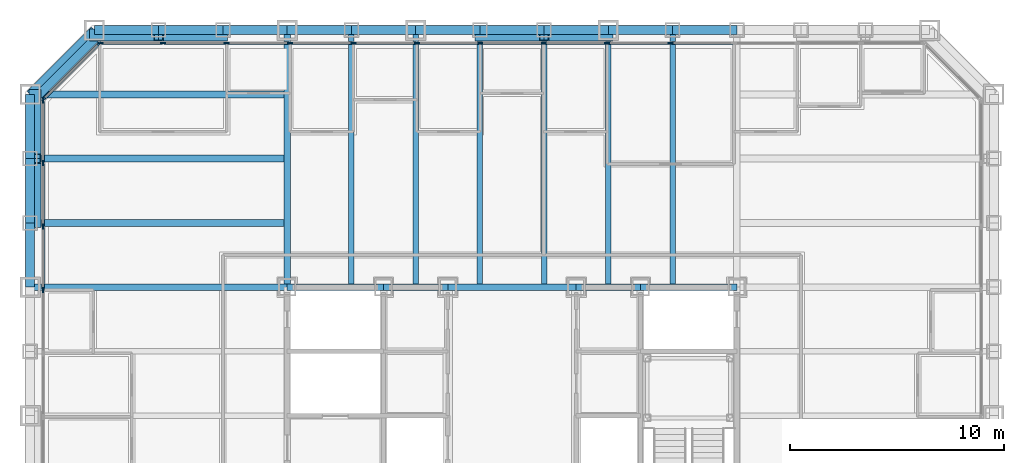
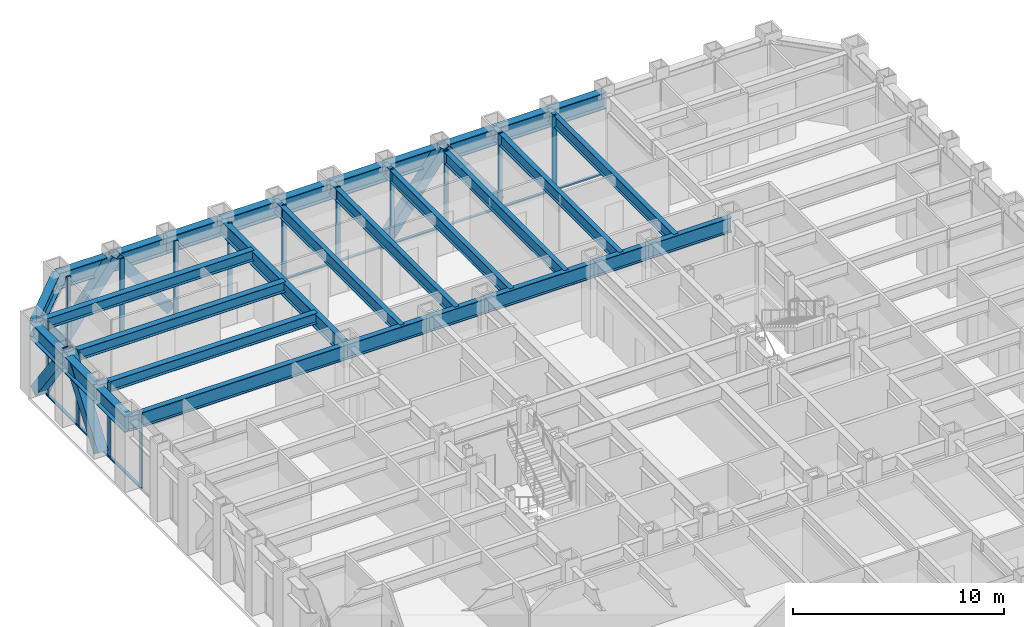
# One storey, part 5 of 16: 37 members, 30 beams, 3 elements without a shape of their own.
"""IFC4 building model written with IfcOpenShell, lengths in metres."""

from ifc_helpers import new_model, si_unit, direction, frame, origin, origin_2d, place, context, subcontext, project, spatial, rectangle, hollow_rectangle, i_section, extrude, material, layer, layer_set, material_profile, profile_set, type_object, element, aggregate, save


model = new_model("IFC4")

# Units and contexts
model_context = context("Model", 3, precision=1e-05, world=origin(), true_north=direction((0.0, 1.0)))
body_context = subcontext(model_context, "Body", "Model", "MODEL_VIEW")
ifc_project = project(units=[si_unit("LENGTHUNIT", "METRE"), si_unit("AREAUNIT", "SQUARE_METRE"), si_unit("VOLUMEUNIT", "CUBIC_METRE"), si_unit("PLANEANGLEUNIT", "RADIAN"), si_unit("MASSUNIT", "GRAM", prefix="KILO")], contexts=[model_context])

# Site, building, storey
site_placement = place(None, origin())
site = spatial("IfcSite", under=ifc_project, at=site_placement, CompositionType="ELEMENT")
building_placement = place(site_placement, origin())
building = spatial("IfcBuilding", under=site, at=building_placement, Name="Chuquiago Exchange Tower", CompositionType="ELEMENT")
storey_placement = place(building_placement, frame((0.0, 0.0, 55.800048828125)))
storey = spatial("IfcBuildingStorey", under=building, at=storey_placement, Name="L11", CompositionType="ELEMENT", Elevation=55.800048828125)

# Beams
ifc_material_1 = material(Name="Steel ASTM A992", Category="steel")
ifc_material_profile_1 = material_profile(ifc_material_1, i_section(OverallWidth=0.2919921875, OverallDepth=0.8583984375, WebThickness=0.01708984375, FlangeThickness=0.031005859375, at=origin_2d()), Name="W33X169")
ifc_profile_set_1 = profile_set([ifc_material_profile_1], Name="Steel ASTM A992")
beam_type_1 = type_object("IfcBeamType", Name="B3 W33X169", PredefinedType="BEAM", material=ifc_profile_set_1)
beam_1_placement = place(storey_placement, frame((12.0, 33.0, 3.610595703125), z_axis=(1.0, 0.0, 0.0), x_axis=(0.0, 1.0, 0.0)))
element("IfcBeam", 1, at=beam_1_placement, inside=storey, type_object=beam_type_1, Name="CB-L12-12_33-16.5_33", PredefinedType="BEAM", context=body_context, shape_type="SweptSolid", body=[
    extrude(i_section(OverallWidth=0.2919921875, OverallDepth=0.8583984375, WebThickness=0.01708984375, FlangeThickness=0.031005859375, at=origin_2d()), origin(), (0.0, 0.0, 1.0), 4.5),
])
beam_2_placement = place(storey_placement, frame((16.5, 33.0, 3.610595703125), z_axis=(1.0, 0.0, 0.0), x_axis=(0.0, 1.0, 0.0)))
element("IfcBeam", 2, at=beam_2_placement, inside=storey, type_object=beam_type_1, Name="CB-L12-16.5_33-19.5_33", PredefinedType="BEAM", context=body_context, shape_type="SweptSolid", body=[
    extrude(i_section(OverallWidth=0.2919921875, OverallDepth=0.8583984375, WebThickness=0.01708984375, FlangeThickness=0.031005859375, at=origin_2d()), origin(), (0.0, 0.0, 1.0), 3.0),
])
beam_3_placement = place(storey_placement, frame((19.5, 33.0, 3.610595703125), z_axis=(1.0, 0.0, 0.0), x_axis=(0.0, 1.0, 0.0)))
element("IfcBeam", 3, at=beam_3_placement, inside=storey, type_object=beam_type_1, Name="CB-L12-19.5_33-25.5_33", PredefinedType="BEAM", context=body_context, shape_type="SweptSolid", body=[
    extrude(i_section(OverallWidth=0.2919921875, OverallDepth=0.8583984375, WebThickness=0.01708984375, FlangeThickness=0.031005859375, at=origin_2d()), origin(), (0.0, 0.0, 1.0), 6.0),
])
beam_4_placement = place(storey_placement, frame((25.5, 33.0, 3.610595703125), z_axis=(1.0, 0.0, 0.0), x_axis=(0.0, 1.0, 0.0)))
element("IfcBeam", 4, at=beam_4_placement, inside=storey, type_object=beam_type_1, Name="CB-L12-25.5_33-28.5_33", PredefinedType="BEAM", context=body_context, shape_type="SweptSolid", body=[
    extrude(i_section(OverallWidth=0.2919921875, OverallDepth=0.8583984375, WebThickness=0.01708984375, FlangeThickness=0.031005859375, at=origin_2d()), origin(), (0.0, 0.0, 1.0), 3.0),
])
beam_5_placement = place(storey_placement, frame((28.5, 33.0, 3.610595703125), z_axis=(1.0, 0.0, 0.0), x_axis=(0.0, 1.0, 0.0)))
element("IfcBeam", 5, at=beam_5_placement, inside=storey, type_object=beam_type_1, Name="CB-L12-28.5_33-33_33", PredefinedType="BEAM", context=body_context, shape_type="SweptSolid", body=[
    extrude(i_section(OverallWidth=0.2919921875, OverallDepth=0.8583984375, WebThickness=0.01708984375, FlangeThickness=0.031005859375, at=origin_2d()), origin(), (0.0, 0.0, 1.0), 4.5),
])
ifc_material_2 = material(Name="Steel ASTM A992", Category="steel")
ifc_material_profile_2 = material_profile(ifc_material_2, i_section(OverallWidth=0.256591796875, OverallDepth=0.693359375, WebThickness=0.014404296875, FlangeThickness=0.023681640625, at=origin_2d()), Name="W27X114")
ifc_profile_set_2 = profile_set([ifc_material_profile_2], Name="Steel ASTM A992")
beam_type_2 = type_object("IfcBeamType", Name="B4 W27X114", PredefinedType="BEAM", material=ifc_profile_set_2)
for number, where, z_axis, x_axis, name in (
    (6, (15.0, 33.0, 3.693359375), (0.0, 1.0, 0.0), (-1.0, 0.0, 0.0), "FB-L12-infill-15_33-15_45-0"),
    (7, (18.0, 33.0, 3.693359375), (0.0, 1.0, 0.0), (-1.0, 0.0, 0.0), "FB-L12-infill-18_33-18_45-0"),
    (8, (21.0, 33.0, 3.693359375), (0.0, 1.0, 0.0), (-1.0, 0.0, 0.0), "FB-L12-infill-21_33-21_45-0"),
    (9, (24.0, 33.0, 3.693359375), (0.0, 1.0, 0.0), (-1.0, 0.0, 0.0), "FB-L12-infill-24_33-24_45-0"),
    (10, (27.0, 33.0, 3.693359375), (0.0, 1.0, 0.0), (-1.0, 0.0, 0.0), "FB-L12-infill-27_33-27_45-0"),
    (11, (30.0, 33.0, 3.693359375), (0.0, 1.0, 0.0), (-1.0, 0.0, 0.0), "FB-L12-infill-30_33-30_45-0"),
):
    element("IfcBeam", number, at=place(storey_placement, frame(where, z_axis=z_axis, x_axis=x_axis)), inside=storey, type_object=beam_type_2, Name=name, PredefinedType="BEAM", context=body_context, shape_type="SweptSolid", body=[
        extrude(i_section(OverallWidth=0.256591796875, OverallDepth=0.693359375, WebThickness=0.014404296875, FlangeThickness=0.023681640625, at=origin_2d()), origin(), (0.0, 0.0, 1.0), 12.0),
    ])
ifc_material_3 = material(Name="Steel ASTM A992", Category="steel")
ifc_material_profile_3 = material_profile(ifc_material_3, i_section(OverallWidth=0.3251953125, OverallDepth=0.6171875, WebThickness=0.013916015625, FlangeThickness=0.021484375, at=origin_2d()), Name="W24X117")
ifc_profile_set_3 = profile_set([ifc_material_profile_3], Name="Steel ASTM A992")
beam_type_3 = type_object("IfcBeamType", Name="B5 W24X117", PredefinedType="BEAM", material=ifc_profile_set_3)
for number, where, z_axis, x_axis, name in (
    (12, (12.0, 36.0, 3.7314453125), (-1.0, 0.0, 0.0), (0.0, -1.0, 0.0), "FB-L12-corner-12_36--0_36-0"),
    (13, (12.0, 39.0, 3.7314453125), (-1.0, 0.0, 0.0), (0.0, -1.0, 0.0), "FB-L12-corner-12_39--0_39-0"),
    (14, (12.0, 42.0, 3.7314453125), (-1.0, 0.0, 0.0), (0.0, -1.0, 0.0), "FB-L12-corner-12_42--0_42-0"),
):
    element("IfcBeam", number, at=place(storey_placement, frame(where, z_axis=z_axis, x_axis=x_axis)), inside=storey, type_object=beam_type_3, Name=name, PredefinedType="BEAM", context=body_context, shape_type="SweptSolid", body=[
        extrude(i_section(OverallWidth=0.3251953125, OverallDepth=0.6171875, WebThickness=0.013916015625, FlangeThickness=0.021484375, at=origin_2d()), origin(), (0.0, 0.0, 1.0), 12.0),
    ])

# Curtain wall, members
ifc_material_4 = material(Name="Aluminium curtain wall system", Category="aluminium")
ifc_layer_1 = layer(ifc_material_4, 0.25)
ifc_layer_set_1 = layer_set([ifc_layer_1], Name="CW1 trading floor curtain wall")
curtain_wall_type_1 = type_object("IfcCurtainWallType", Name="CW1 trading floor curtain wall", PredefinedType="NOTDEFINED", material=ifc_layer_set_1)
curtain_wall_1_placement = place(storey_placement, origin())
curtain_wall_1 = element("IfcCurtainWall", 15, at=curtain_wall_1_placement, inside=storey, type_object=curtain_wall_type_1, Name="CW1 curtain wall L11", PredefinedType="NOTDEFINED")
ifc_material_5 = material(Name="Aluminium mullion, pale anodised", Category="aluminium")
ifc_material_profile_4 = material_profile(ifc_material_5, rectangle(XDim=0.074951171875, YDim=0.25, at=origin_2d()), Name="AL 75x250")
ifc_profile_set_4 = profile_set([ifc_material_profile_4], Name="Aluminium mullion, pale anodised")
member_type_1 = type_object("IfcMemberType", Name="CW1-M mullion 75x250", PredefinedType="MULLION", material=ifc_profile_set_4)
member_1_placement = place(storey_placement, frame((29.904541015625, 44.39990234375, -0.300048828125), z_axis=(0.0, 0.0, 1.0), x_axis=(0.0, -1.0, 0.0)))
member_1 = element("IfcMember", 16, at=member_1_placement, type_object=member_type_1, Name="CW1 mullion 5", PredefinedType="MULLION", context=body_context, shape_type="SweptSolid", body=[
    extrude(rectangle(XDim=0.074951171875, YDim=0.25, at=origin_2d()), origin(), (0.0, 0.0, 1.0), 4.340087890625),
])
member_2_placement = place(storey_placement, frame((26.942626953125, 44.39990234375, -0.300048828125), z_axis=(0.0, 0.0, 1.0), x_axis=(0.0, -1.0, 0.0)))
member_2 = element("IfcMember", 17, at=member_2_placement, type_object=member_type_1, Name="CW1 mullion 6", PredefinedType="MULLION", context=body_context, shape_type="SweptSolid", body=[
    extrude(rectangle(XDim=0.074951171875, YDim=0.25, at=origin_2d()), origin(), (0.0, 0.0, 1.0), 4.340087890625),
])
member_3_placement = place(storey_placement, frame((23.98095703125, 44.39990234375, -0.300048828125), z_axis=(0.0, 0.0, 1.0), x_axis=(0.0, -1.0, 0.0)))
member_3 = element("IfcMember", 18, at=member_3_placement, type_object=member_type_1, Name="CW1 mullion 7", PredefinedType="MULLION", context=body_context, shape_type="SweptSolid", body=[
    extrude(rectangle(XDim=0.074951171875, YDim=0.25, at=origin_2d()), origin(), (0.0, 0.0, 1.0), 4.340087890625),
])
member_4_placement = place(storey_placement, frame((21.01904296875, 44.39990234375, -0.300048828125), z_axis=(0.0, 0.0, 1.0), x_axis=(0.0, -1.0, 0.0)))
member_4 = element("IfcMember", 19, at=member_4_placement, type_object=member_type_1, Name="CW1 mullion 8", PredefinedType="MULLION", context=body_context, shape_type="SweptSolid", body=[
    extrude(rectangle(XDim=0.074951171875, YDim=0.25, at=origin_2d()), origin(), (0.0, 0.0, 1.0), 4.340087890625),
])
member_5_placement = place(storey_placement, frame((18.057373046875, 44.39990234375, -0.300048828125), z_axis=(0.0, 0.0, 1.0), x_axis=(0.0, -1.0, 0.0)))
member_5 = element("IfcMember", 20, at=member_5_placement, type_object=member_type_1, Name="CW1 mullion 9", PredefinedType="MULLION", context=body_context, shape_type="SweptSolid", body=[
    extrude(rectangle(XDim=0.074951171875, YDim=0.25, at=origin_2d()), origin(), (0.0, 0.0, 1.0), 4.340087890625),
])
member_6_placement = place(storey_placement, frame((15.095458984375, 44.39990234375, -0.300048828125), z_axis=(0.0, 0.0, 1.0), x_axis=(0.0, -1.0, 0.0)))
member_6 = element("IfcMember", 21, at=member_6_placement, type_object=member_type_1, Name="CW1 mullion 10", PredefinedType="MULLION", context=body_context, shape_type="SweptSolid", body=[
    extrude(rectangle(XDim=0.074951171875, YDim=0.25, at=origin_2d()), origin(), (0.0, 0.0, 1.0), 4.340087890625),
])
member_7_placement = place(storey_placement, frame((12.1337890625, 44.39990234375, -0.300048828125), z_axis=(0.0, 0.0, 1.0), x_axis=(0.0, -1.0, 0.0)))
member_7 = element("IfcMember", 22, at=member_7_placement, type_object=member_type_1, Name="CW1 mullion 11", PredefinedType="MULLION", context=body_context, shape_type="SweptSolid", body=[
    extrude(rectangle(XDim=0.074951171875, YDim=0.25, at=origin_2d()), origin(), (0.0, 0.0, 1.0), 4.340087890625),
])
member_8_placement = place(storey_placement, frame((9.172119140625, 44.39990234375, -0.300048828125), z_axis=(0.0, 0.0, 1.0), x_axis=(0.0, -1.0, 0.0)))
member_8 = element("IfcMember", 23, at=member_8_placement, type_object=member_type_1, Name="CW1 mullion 12", PredefinedType="MULLION", context=body_context, shape_type="SweptSolid", body=[
    extrude(rectangle(XDim=0.074951171875, YDim=0.25, at=origin_2d()), origin(), (0.0, 0.0, 1.0), 4.340087890625),
])
member_9_placement = place(storey_placement, frame((6.210205078125, 44.39990234375, -0.300048828125), z_axis=(0.0, 0.0, 1.0), x_axis=(0.0, -1.0, 0.0)))
member_9 = element("IfcMember", 24, at=member_9_placement, type_object=member_type_1, Name="CW1 mullion 13", PredefinedType="MULLION", context=body_context, shape_type="SweptSolid", body=[
    extrude(rectangle(XDim=0.074951171875, YDim=0.25, at=origin_2d()), origin(), (0.0, 0.0, 1.0), 4.340087890625),
])
member_10_placement = place(storey_placement, frame((3.285888671875, 44.39990234375, -0.300048828125), z_axis=(0.0, 0.0, 1.0), x_axis=(0.0, -1.0, 0.0)))
member_10 = element("IfcMember", 25, at=member_10_placement, type_object=member_type_1, Name="CW1 mullion 14", PredefinedType="MULLION", context=body_context, shape_type="SweptSolid", body=[
    extrude(rectangle(XDim=0.074951171875, YDim=0.25, at=origin_2d()), origin(), (0.0, 0.0, 1.0), 4.340087890625),
])

curtain_wall_2_placement = place(storey_placement, origin())
curtain_wall_2 = element("IfcCurtainWall", 26, at=curtain_wall_2_placement, inside=storey, type_object=curtain_wall_type_1, Name="CW1 curtain wall L11", PredefinedType="NOTDEFINED")
member_11_placement = place(storey_placement, frame((0.60009765625, 41.714111328125, -0.300048828125), z_axis=(0.0, 0.0, 1.0), x_axis=(1.0, 0.0, 0.0)))
member_11 = element("IfcMember", 27, at=member_11_placement, type_object=member_type_1, Name="CW1 mullion 1", PredefinedType="MULLION", context=body_context, shape_type="SweptSolid", body=[
    extrude(rectangle(XDim=0.074951171875, YDim=0.25, at=origin_2d()), origin(), (0.0, 0.0, 1.0), 4.340087890625),
])
member_12_placement = place(storey_placement, frame((0.60009765625, 38.789794921875, -0.300048828125), z_axis=(0.0, 0.0, 1.0), x_axis=(1.0, 0.0, 0.0)))
member_12 = element("IfcMember", 28, at=member_12_placement, type_object=member_type_1, Name="CW1 mullion 2", PredefinedType="MULLION", context=body_context, shape_type="SweptSolid", body=[
    extrude(rectangle(XDim=0.074951171875, YDim=0.25, at=origin_2d()), origin(), (0.0, 0.0, 1.0), 4.340087890625),
])
member_13_placement = place(storey_placement, frame((0.60009765625, 35.827880859375, -0.300048828125), z_axis=(0.0, 0.0, 1.0), x_axis=(1.0, 0.0, 0.0)))
member_13 = element("IfcMember", 29, at=member_13_placement, type_object=member_type_1, Name="CW1 mullion 3", PredefinedType="MULLION", context=body_context, shape_type="SweptSolid", body=[
    extrude(rectangle(XDim=0.074951171875, YDim=0.25, at=origin_2d()), origin(), (0.0, 0.0, 1.0), 4.340087890625),
])
member_14_placement = place(storey_placement, frame((0.60009765625, 32.8662109375, -0.300048828125), z_axis=(0.0, 0.0, 1.0), x_axis=(1.0, 0.0, 0.0)))
member_14 = element("IfcMember", 30, at=member_14_placement, type_object=member_type_1, Name="CW1 mullion 4", PredefinedType="MULLION", context=body_context, shape_type="SweptSolid", body=[
    extrude(rectangle(XDim=0.074951171875, YDim=0.25, at=origin_2d()), origin(), (0.0, 0.0, 1.0), 4.340087890625),
])

# Member
ifc_material_6 = material(Name="Aluminium transom, pale anodised", Category="aluminium")
ifc_material_profile_5 = material_profile(ifc_material_6, rectangle(XDim=0.14990234375, YDim=0.074951171875, at=origin_2d()), Name="AL 150x75")
ifc_profile_set_5 = profile_set([ifc_material_profile_5], Name="Aluminium transom, pale anodised")
member_type_2 = type_object("IfcMemberType", Name="CW1-T transom 75x150", PredefinedType="MULLION", material=ifc_profile_set_5)
member_15_placement = place(storey_placement, frame((32.82861328125, 44.39990234375, -0.262451171875), z_axis=(-1.0, 0.0, 0.0), x_axis=(0.0, -1.0, 0.0)))
member_15 = element("IfcMember", 31, at=member_15_placement, type_object=member_type_2, Name="CW1 transom 4.1", PredefinedType="MULLION", context=body_context, shape_type="SweptSolid", body=[
    extrude(rectangle(XDim=0.14990234375, YDim=0.074951171875, at=origin_2d()), origin(), (0.0, 0.0, 1.0), 2.88671875),
])

member_16_placement = place(storey_placement, frame((29.866943359375, 44.39990234375, -0.262451171875), z_axis=(-1.0, 0.0, 0.0), x_axis=(0.0, -1.0, 0.0)))
member_16 = element("IfcMember", 32, at=member_16_placement, type_object=member_type_2, Name="CW1 transom 5.1", PredefinedType="MULLION", context=body_context, shape_type="SweptSolid", body=[
    extrude(rectangle(XDim=0.14990234375, YDim=0.074951171875, at=origin_2d()), origin(), (0.0, 0.0, 1.0), 2.88671875),
])

member_17_placement = place(storey_placement, frame((26.9052734375, 44.39990234375, -0.262451171875), z_axis=(-1.0, 0.0, 0.0), x_axis=(0.0, -1.0, 0.0)))
member_17 = element("IfcMember", 33, at=member_17_placement, type_object=member_type_2, Name="CW1 transom 6.1", PredefinedType="MULLION", context=body_context, shape_type="SweptSolid", body=[
    extrude(rectangle(XDim=0.14990234375, YDim=0.074951171875, at=origin_2d()), origin(), (0.0, 0.0, 1.0), 2.886962890625),
])

member_18_placement = place(storey_placement, frame((23.943359375, 44.39990234375, -0.262451171875), z_axis=(-1.0, 0.0, 0.0), x_axis=(0.0, -1.0, 0.0)))
member_18 = element("IfcMember", 34, at=member_18_placement, type_object=member_type_2, Name="CW1 transom 7.1", PredefinedType="MULLION", context=body_context, shape_type="SweptSolid", body=[
    extrude(rectangle(XDim=0.14990234375, YDim=0.074951171875, at=origin_2d()), origin(), (0.0, 0.0, 1.0), 2.88671875),
])

member_19_placement = place(storey_placement, frame((20.981689453125, 44.39990234375, -0.262451171875), z_axis=(-1.0, 0.0, 0.0), x_axis=(0.0, -1.0, 0.0)))
member_19 = element("IfcMember", 35, at=member_19_placement, type_object=member_type_2, Name="CW1 transom 8.1", PredefinedType="MULLION", context=body_context, shape_type="SweptSolid", body=[
    extrude(rectangle(XDim=0.14990234375, YDim=0.074951171875, at=origin_2d()), origin(), (0.0, 0.0, 1.0), 2.886962890625),
])

member_20_placement = place(storey_placement, frame((18.019775390625, 44.39990234375, -0.262451171875), z_axis=(-1.0, 0.0, 0.0), x_axis=(0.0, -1.0, 0.0)))
member_20 = element("IfcMember", 36, at=member_20_placement, type_object=member_type_2, Name="CW1 transom 9.1", PredefinedType="MULLION", context=body_context, shape_type="SweptSolid", body=[
    extrude(rectangle(XDim=0.14990234375, YDim=0.074951171875, at=origin_2d()), origin(), (0.0, 0.0, 1.0), 2.88671875),
])

member_21_placement = place(storey_placement, frame((15.05810546875, 44.39990234375, -0.262451171875), z_axis=(-1.0, 0.0, 0.0), x_axis=(0.0, -1.0, 0.0)))
member_21 = element("IfcMember", 37, at=member_21_placement, type_object=member_type_2, Name="CW1 transom 10.1", PredefinedType="MULLION", context=body_context, shape_type="SweptSolid", body=[
    extrude(rectangle(XDim=0.14990234375, YDim=0.074951171875, at=origin_2d()), origin(), (0.0, 0.0, 1.0), 2.88671875),
])

member_22_placement = place(storey_placement, frame((12.09619140625, 44.39990234375, -0.262451171875), z_axis=(-1.0, 0.0, 0.0), x_axis=(0.0, -1.0, 0.0)))
member_22 = element("IfcMember", 38, at=member_22_placement, type_object=member_type_2, Name="CW1 transom 11.1", PredefinedType="MULLION", context=body_context, shape_type="SweptSolid", body=[
    extrude(rectangle(XDim=0.14990234375, YDim=0.074951171875, at=origin_2d()), origin(), (0.0, 0.0, 1.0), 2.88671875),
])

member_23_placement = place(storey_placement, frame((9.134521484375, 44.39990234375, -0.262451171875), z_axis=(-1.0, 0.0, 0.0), x_axis=(0.0, -1.0, 0.0)))
member_23 = element("IfcMember", 39, at=member_23_placement, type_object=member_type_2, Name="CW1 transom 12.1", PredefinedType="MULLION", context=body_context, shape_type="SweptSolid", body=[
    extrude(rectangle(XDim=0.14990234375, YDim=0.074951171875, at=origin_2d()), origin(), (0.0, 0.0, 1.0), 2.88671875),
])

member_24_placement = place(storey_placement, frame((6.1728515625, 44.39990234375, -0.262451171875), z_axis=(-1.0, 0.0, 0.0), x_axis=(0.0, -1.0, 0.0)))
member_24 = element("IfcMember", 40, at=member_24_placement, type_object=member_type_2, Name="CW1 transom 13.1", PredefinedType="MULLION", context=body_context, shape_type="SweptSolid", body=[
    extrude(rectangle(XDim=0.14990234375, YDim=0.074951171875, at=origin_2d()), origin(), (0.0, 0.0, 1.0), 2.849365234375),
])

aggregate(curtain_wall_1, [member_1, member_2, member_3, member_4, member_5, member_6, member_7, member_8, member_9, member_10, member_15, member_16, member_17, member_18, member_19, member_20, member_21, member_22, member_23, member_24])

member_25_placement = place(storey_placement, frame((0.60009765625, 41.676513671875, -0.262451171875), z_axis=(0.0, -1.0, 0.0), x_axis=(1.0, 0.0, 0.0)))
member_25 = element("IfcMember", 41, at=member_25_placement, type_object=member_type_2, Name="CW1 transom 1.1", PredefinedType="MULLION", context=body_context, shape_type="SweptSolid", body=[
    extrude(rectangle(XDim=0.14990234375, YDim=0.074951171875, at=origin_2d()), origin(), (0.0, 0.0, 1.0), 2.849365234375),
])

member_26_placement = place(storey_placement, frame((0.60009765625, 38.752197265625, -0.262451171875), z_axis=(0.0, -1.0, 0.0), x_axis=(1.0, 0.0, 0.0)))
member_26 = element("IfcMember", 42, at=member_26_placement, type_object=member_type_2, Name="CW1 transom 2.1", PredefinedType="MULLION", context=body_context, shape_type="SweptSolid", body=[
    extrude(rectangle(XDim=0.14990234375, YDim=0.074951171875, at=origin_2d()), origin(), (0.0, 0.0, 1.0), 2.88671875),
])

member_27_placement = place(storey_placement, frame((0.60009765625, 35.79052734375, -0.262451171875), z_axis=(0.0, -1.0, 0.0), x_axis=(1.0, 0.0, 0.0)))
member_27 = element("IfcMember", 43, at=member_27_placement, type_object=member_type_2, Name="CW1 transom 3.1", PredefinedType="MULLION", context=body_context, shape_type="SweptSolid", body=[
    extrude(rectangle(XDim=0.14990234375, YDim=0.074951171875, at=origin_2d()), origin(), (0.0, 0.0, 1.0), 2.88671875),
])

aggregate(curtain_wall_2, [member_11, member_12, member_13, member_14, member_25, member_26, member_27])

# Curtain wall, members
ifc_material_7 = material(Name="Aluminium curtain wall system", Category="aluminium")
ifc_layer_2 = layer(ifc_material_7, 0.199951171875)
ifc_layer_set_2 = layer_set([ifc_layer_2], Name="CW3 facet curtain wall")
curtain_wall_type_2 = type_object("IfcCurtainWallType", Name="CW3 facet curtain wall", PredefinedType="NOTDEFINED", material=ifc_layer_set_2)
curtain_wall_3_placement = place(storey_placement, origin())
curtain_wall_3 = element("IfcCurtainWall", 44, at=curtain_wall_3_placement, inside=storey, type_object=curtain_wall_type_2, Name="CW3 curtain wall L11", PredefinedType="NOTDEFINED")
ifc_material_8 = material(Name="Aluminium mullion, pale anodised", Category="aluminium")
ifc_material_profile_6 = material_profile(ifc_material_8, rectangle(XDim=0.06494140625, YDim=0.199951171875, at=origin_2d()), Name="AL 65x200")
ifc_profile_set_6 = profile_set([ifc_material_profile_6], Name="Aluminium mullion, pale anodised")
member_type_3 = type_object("IfcMemberType", Name="CW3-M mullion 65x200", PredefinedType="MULLION", material=ifc_profile_set_6)
member_28_placement = place(storey_placement, frame((3.2255859375, 44.376953125, -0.300048828125), z_axis=(0.0, 0.0, 1.0), x_axis=(0.707106781187, -0.707106781187, 0.0)))
member_28 = element("IfcMember", 45, at=member_28_placement, type_object=member_type_3, Name="CW3 mullion 1", PredefinedType="MULLION", context=body_context, shape_type="SweptSolid", body=[
    extrude(rectangle(XDim=0.06494140625, YDim=0.199951171875, at=origin_2d()), origin(), (0.0, 0.0, 1.0), 4.340087890625),
])
member_29_placement = place(storey_placement, frame((0.623046875, 41.7744140625, -0.300048828125), z_axis=(0.0, 0.0, 1.0), x_axis=(0.707106781187, -0.707106781187, 0.0)))
member_29 = element("IfcMember", 46, at=member_29_placement, type_object=member_type_3, Name="CW3 mullion 2", PredefinedType="MULLION", context=body_context, shape_type="SweptSolid", body=[
    extrude(rectangle(XDim=0.06494140625, YDim=0.199951171875, at=origin_2d()), origin(), (0.0, 0.0, 1.0), 4.340087890625),
])
ifc_material_9 = material(Name="Aluminium transom, pale anodised", Category="aluminium")
ifc_material_profile_7 = material_profile(ifc_material_9, rectangle(XDim=0.139892578125, YDim=0.06494140625, at=origin_2d()), Name="AL 140x65")
ifc_profile_set_7 = profile_set([ifc_material_profile_7], Name="Aluminium transom, pale anodised")
member_type_4 = type_object("IfcMemberType", Name="CW3-T transom 65x140", PredefinedType="MULLION", material=ifc_profile_set_7)
member_30_placement = place(storey_placement, frame((3.20263671875, 44.35400390625, -0.267578125), z_axis=(-0.707106781187, -0.707106781187, 0.0), x_axis=(0.707106781187, -0.707106781187, 0.0)))
member_30 = element("IfcMember", 47, at=member_30_placement, type_object=member_type_4, Name="CW3 transom 1.1", PredefinedType="MULLION", context=body_context, shape_type="SweptSolid", body=[
    extrude(rectangle(XDim=0.139892578125, YDim=0.06494140625, at=origin_2d()), origin(), (0.0, 0.0, 1.0), 3.61572265625),
])
aggregate(curtain_wall_3, [member_28, member_29, member_30])

# Beams
ifc_material_10 = material(Name="Steel ASTM A992", Category="steel")
ifc_material_profile_8 = material_profile(ifc_material_10, i_section(OverallWidth=0.2919921875, OverallDepth=0.8583984375, WebThickness=0.01708984375, FlangeThickness=0.031005859375, at=origin_2d()), Name="W33X169")
ifc_profile_set_8 = profile_set([ifc_material_profile_8], Name="Steel ASTM A992")
beam_type_4 = type_object("IfcBeamType", Name="G2 W33X169", PredefinedType="BEAM", material=ifc_profile_set_8)
for number, where, z_axis, x_axis, name in (
    (48, (12.0, 33.0, 3.610595703125), (0.0, 1.0, 0.0), (-1.0, 0.0, 0.0), "FB-L12-girder-12_33-12_45-0"),
    (49, (12.0, 33.0, 3.610595703125), (-1.0, 0.0, 0.0), (0.0, -1.0, 0.0), "FB-L12-girder-12_33--0_33-0"),
):
    element("IfcBeam", number, at=place(storey_placement, frame(where, z_axis=z_axis, x_axis=x_axis)), inside=storey, type_object=beam_type_4, Name=name, PredefinedType="BEAM", context=body_context, shape_type="SweptSolid", body=[
        extrude(i_section(OverallWidth=0.2919921875, OverallDepth=0.8583984375, WebThickness=0.01708984375, FlangeThickness=0.031005859375, at=origin_2d()), origin(), (0.0, 0.0, 1.0), 12.0),
    ])

# Members
ifc_material_11 = material(Name="Steel ASTM A500 Grade C", Category="steel")
ifc_material_profile_9 = material_profile(ifc_material_11, hollow_rectangle(XDim=0.406494140625, YDim=0.406494140625, WallThickness=0.0146484375, at=origin_2d()), Name="HSS16X16X5/8")
ifc_profile_set_9 = profile_set([ifc_material_profile_9], Name="Steel ASTM A500 Grade C")
member_type_5 = type_object("IfcMemberType", Name="LB4 HSS16X16X5/8", PredefinedType="BRACE", material=ifc_profile_set_9)
member_31_placement = place(storey_placement, frame((3.21337890625, 44.78662109375, 0.0), z_axis=(-0.512077265487, -0.512077265487, 0.689604051861), x_axis=(0.707106781187, -0.707106781187, 0.0)))
element("IfcMember", 50, at=member_31_placement, inside=storey, type_object=member_type_5, Name="LB-L11-3_45-0_42", PredefinedType="BRACE", context=body_context, shape_type="SweptSolid", body=[
    extrude(hollow_rectangle(XDim=0.406494140625, YDim=0.406494140625, WallThickness=0.0146484375, at=origin_2d()), origin(), (0.0, 0.0, 1.0), 5.8583984375),
])
ifc_material_12 = material(Name="Steel ASTM A572 Grade 50", Category="steel")
ifc_material_profile_10 = material_profile(ifc_material_12, hollow_rectangle(XDim=0.550048828125, YDim=0.550048828125, WallThickness=0.044921875, at=origin_2d()), Name="BOX550X550X45")
ifc_profile_set_10 = profile_set([ifc_material_profile_10], Name="Steel ASTM A572 Grade 50")
member_type_6 = type_object("IfcMemberType", Name="MB1 BOX550X550X45", PredefinedType="BRACE", material=ifc_profile_set_10)
for number, where, z_axis, x_axis, name in (
    (51, (27.0, 44.77001953125, 0.0), (-0.596173923302, 0.0, 0.802855312728), (0.0, -1.0, 0.0), "Mega diagonal L11 N face"),
    (52, (21.0, 44.77001953125, 0.0), (0.596173923302, 0.0, 0.802855312728), (0.0, 1.0, 0.0), "Mega diagonal L11 N face"),
    (53, (9.0, 44.77001953125, 0.0), (-0.596173923302, 0.0, 0.802855312728), (0.0, -1.0, 0.0), "Mega diagonal L11 N face"),
    (54, (3.0, 44.77001953125, 0.0), (0.596173923302, 0.0, 0.802855312728), (0.0, 1.0, 0.0), "Mega diagonal L11 N face"),
    (55, (0.22998046875, 42.0, 0.0), (0.0, -0.596173923302, 0.802855312728), (1.0, 0.0, 0.0), "Mega diagonal L11 W face"),
    (56, (0.22998046875, 36.0, 0.0), (0.0, 0.596173923302, 0.802855312728), (-1.0, 0.0, 0.0), "Mega diagonal L11 W face"),
):
    element("IfcMember", number, at=place(storey_placement, frame(where, z_axis=z_axis, x_axis=x_axis)), inside=storey, type_object=member_type_6, Name=name, PredefinedType="BRACE", context=body_context, shape_type="SweptSolid", body=[
        extrude(hollow_rectangle(XDim=0.550048828125, YDim=0.550048828125, WallThickness=0.044921875, at=origin_2d()), origin(), (0.0, 0.0, 1.0), 5.031982421875),
    ])

# Beams
ifc_material_13 = material(Name="Steel ASTM A992", Category="steel")
ifc_material_profile_11 = material_profile(ifc_material_13, i_section(OverallWidth=0.424072265625, OverallDepth=0.947509765625, WebThickness=0.02392578125, FlangeThickness=0.042724609375, at=origin_2d()), Name="W36X302")
ifc_profile_set_11 = profile_set([ifc_material_profile_11], Name="Steel ASTM A992")
beam_type_5 = type_object("IfcBeamType", Name="SP1 W36X302", PredefinedType="SPANDREL", material=ifc_profile_set_11)
for number, where, z_axis, x_axis, name in (
    (57, (33.0, 45.0, 3.566162109375), (-1.0, 0.0, 0.0), (0.0, -1.0, 0.0), "SPB-L12-33_45-30_45"),
    (58, (30.0, 45.0, 3.566162109375), (-1.0, 0.0, 0.0), (0.0, -1.0, 0.0), "SPB-L12-30_45-27_45"),
    (59, (27.0, 45.0, 3.566162109375), (-1.0, 0.0, 0.0), (0.0, -1.0, 0.0), "SPB-L12-27_45-24_45"),
    (60, (24.0, 45.0, 3.566162109375), (-1.0, 0.0, 0.0), (0.0, -1.0, 0.0), "SPB-L12-24_45-21_45"),
    (61, (21.0, 45.0, 3.566162109375), (-1.0, 0.0, 0.0), (0.0, -1.0, 0.0), "SPB-L12-21_45-18_45"),
    (62, (18.0, 45.0, 3.566162109375), (-1.0, 0.0, 0.0), (0.0, -1.0, 0.0), "SPB-L12-18_45-15_45"),
    (63, (15.0, 45.0, 3.566162109375), (-1.0, 0.0, 0.0), (0.0, -1.0, 0.0), "SPB-L12-15_45-12_45"),
    (64, (12.0, 45.0, 3.566162109375), (-1.0, 0.0, 0.0), (0.0, -1.0, 0.0), "SPB-L12-12_45-9_45"),
    (65, (9.0, 45.0, 3.566162109375), (-1.0, 0.0, 0.0), (0.0, -1.0, 0.0), "SPB-L12-9_45-6_45"),
    (66, (6.0, 45.0, 3.566162109375), (-1.0, 0.0, 0.0), (0.0, -1.0, 0.0), "SPB-L12-6_45-3_45"),
):
    element("IfcBeam", number, at=place(storey_placement, frame(where, z_axis=z_axis, x_axis=x_axis)), inside=storey, type_object=beam_type_5, Name=name, PredefinedType="SPANDREL", context=body_context, shape_type="SweptSolid", body=[
        extrude(i_section(OverallWidth=0.424072265625, OverallDepth=0.947509765625, WebThickness=0.02392578125, FlangeThickness=0.042724609375, at=origin_2d()), origin(), (0.0, 0.0, 1.0), 3.0),
    ])
beam_6_placement = place(storey_placement, frame((3.0, 45.0, 3.566162109375), z_axis=(-0.707106781187, -0.707106781187, 0.0), x_axis=(0.707106781187, -0.707106781187, 0.0)))
element("IfcBeam", 67, at=beam_6_placement, inside=storey, type_object=beam_type_5, Name="SPB-L12-3_45-0_42", PredefinedType="SPANDREL", context=body_context, shape_type="SweptSolid", body=[
    extrude(i_section(OverallWidth=0.424072265625, OverallDepth=0.947509765625, WebThickness=0.02392578125, FlangeThickness=0.042724609375, at=origin_2d()), origin(), (0.0, 0.0, 1.0), 4.24267578125),
])
for number, where, z_axis, x_axis, name in (
    (68, (0.0, 42.0, 3.566162109375), (0.0, -1.0, 0.0), (1.0, 0.0, 0.0), "SPB-L12-0_42-0_39"),
    (69, (0.0, 39.0, 3.566162109375), (0.0, -1.0, 0.0), (1.0, 0.0, 0.0), "SPB-L12-0_39-0_36"),
    (70, (0.0, 36.0, 3.566162109375), (0.0, -1.0, 0.0), (1.0, 0.0, 0.0), "SPB-L12-0_36-0_33"),
):
    element("IfcBeam", number, at=place(storey_placement, frame(where, z_axis=z_axis, x_axis=x_axis)), inside=storey, type_object=beam_type_5, Name=name, PredefinedType="SPANDREL", context=body_context, shape_type="SweptSolid", body=[
        extrude(i_section(OverallWidth=0.424072265625, OverallDepth=0.947509765625, WebThickness=0.02392578125, FlangeThickness=0.042724609375, at=origin_2d()), origin(), (0.0, 0.0, 1.0), 3.0),
    ])

save(model, "model.ifc")
